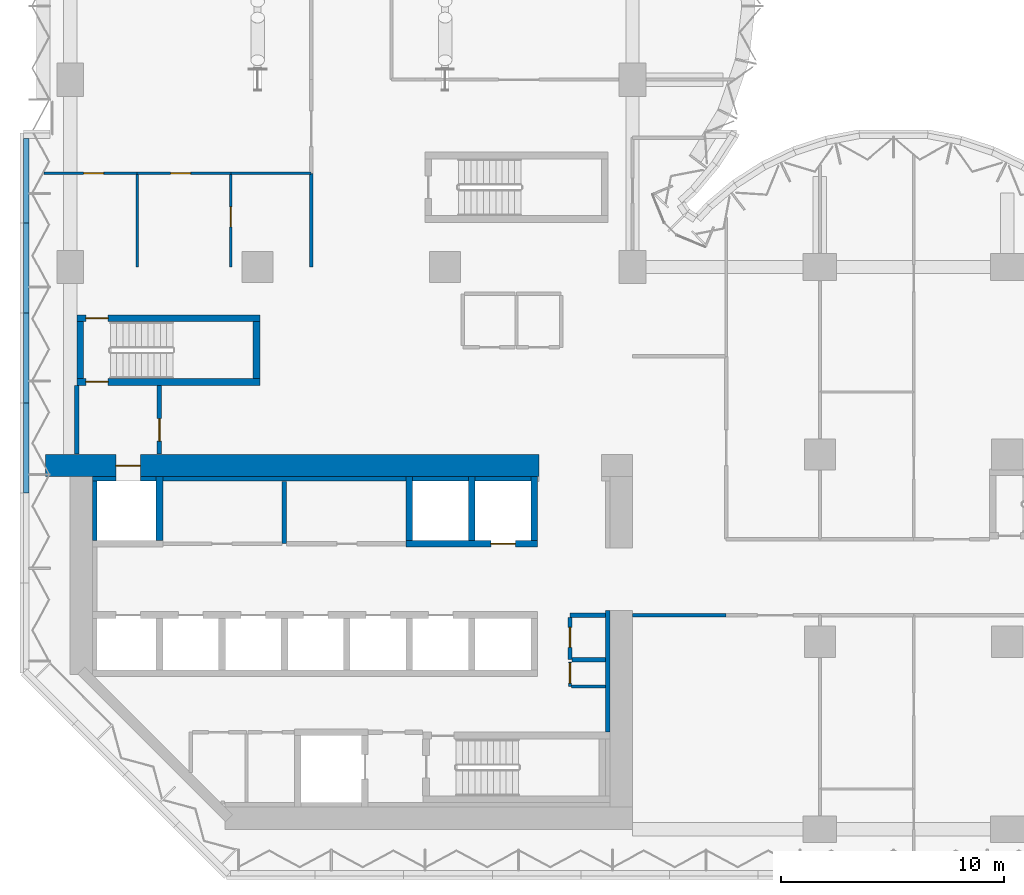
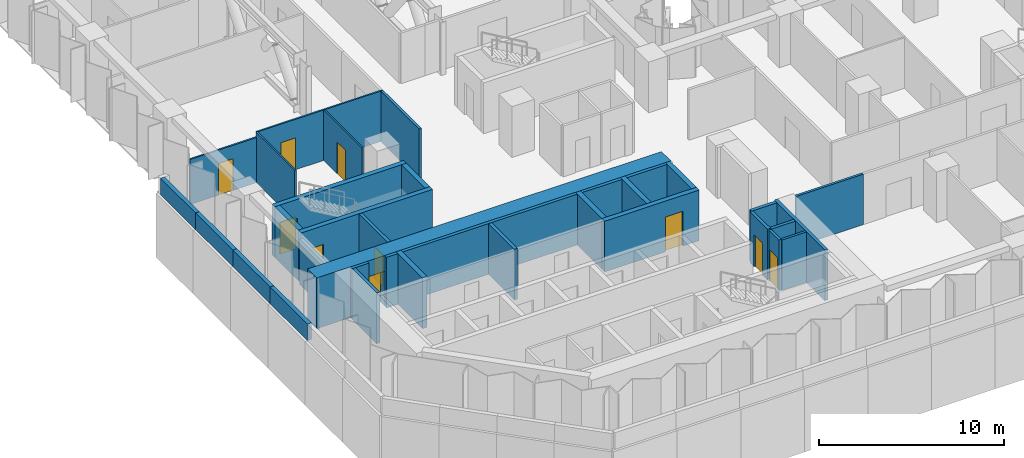
# One storey, part 10 of 24: 36 walls, 10 doors, 10 openings.
"""IFC4 building model written with IfcOpenShell, lengths in metres."""

from ifc_helpers import new_model, si_unit, direction, frame, frame_2d, origin, place, context, subcontext, project, spatial, rectangle, extrude, material, layer, layer_set, type_object, element, fill, save


model = new_model("IFC4")

# Units and contexts
model_context = context("Model", 3, precision=1e-05, world=origin(), true_north=direction((0.0, 1.0)))
body_context = subcontext(model_context, "Body", "Model", "MODEL_VIEW")
ifc_project = project(units=[si_unit("LENGTHUNIT", "METRE"), si_unit("AREAUNIT", "SQUARE_METRE"), si_unit("VOLUMEUNIT", "CUBIC_METRE"), si_unit("PLANEANGLEUNIT", "RADIAN"), si_unit("MASSUNIT", "GRAM", prefix="KILO")], contexts=[model_context])

# Site, building, storey
site_placement = place(None, origin())
site = spatial("IfcSite", under=ifc_project, at=site_placement, CompositionType="ELEMENT")
building_placement = place(site_placement, origin())
building = spatial("IfcBuilding", under=site, at=building_placement, Name="Brevane Broadcast Tower", CompositionType="ELEMENT")
storey_placement = place(building_placement, frame((0.0, 0.0, 36.5)))
storey = spatial("IfcBuildingStorey", under=building, at=storey_placement, Name="L06", CompositionType="ELEMENT", Elevation=36.5)

# Walls
ifc_material_1 = material(Name="Concrete C50/60", Category="concrete")
ifc_layer_1 = layer(ifc_material_1, 0.25)
ifc_layer_set_1 = layer_set([ifc_layer_1], Name="CORNICE PARAPET 1100")
wall_type_1 = type_object("IfcWallType", Name="CORNICE PARAPET 1100", PredefinedType="PARAPET", material=ifc_layer_set_1)
wall_1_placement = place(storey_placement, frame((-1.97509765625, 15.068603515625, 0.0), z_axis=(0.0, 0.0, 1.0), x_axis=(0.0, 1.0, 0.0)))
element("IfcWall", 1, at=wall_1_placement, inside=storey, type_object=wall_type_1, Name="Cornice parapet", PredefinedType="PARAPET", context=body_context, shape_type="SweptSolid", body=[
    extrude(rectangle(XDim=4.032958984375, YDim=0.25, at=frame_2d((2.0166015625, 0.0))), origin(), (0.0, 0.0, 1.0), 1.10009765625),
])
wall_2_placement = place(storey_placement, frame((-1.97509765625, 19.1015625, 0.0), z_axis=(0.0, 0.0, 1.0), x_axis=(0.0, 1.0, 0.0)))
element("IfcWall", 2, at=wall_2_placement, inside=storey, type_object=wall_type_1, Name="Cornice parapet", PredefinedType="PARAPET", context=body_context, shape_type="SweptSolid", body=[
    extrude(rectangle(XDim=4.03271484375, YDim=0.25, at=frame_2d((2.016357421875, 0.0))), origin(), (0.0, 0.0, 1.0), 1.10009765625),
])
wall_3_placement = place(storey_placement, frame((-1.97509765625, 23.13427734375, 0.0), z_axis=(0.0, 0.0, 1.0), x_axis=(0.0, 1.0, 0.0)))
element("IfcWall", 3, at=wall_3_placement, inside=storey, type_object=wall_type_1, Name="Cornice parapet", PredefinedType="PARAPET", context=body_context, shape_type="SweptSolid", body=[
    extrude(rectangle(XDim=4.032958984375, YDim=0.25, at=frame_2d((2.0166015625, 0.0))), origin(), (0.0, 0.0, 1.0), 1.10009765625),
])
wall_4_placement = place(storey_placement, frame((-1.97509765625, 27.167236328125, 0.0), z_axis=(0.0, 0.0, 1.0), x_axis=(0.0, 1.0, 0.0)))
element("IfcWall", 4, at=wall_4_placement, inside=storey, type_object=wall_type_1, Name="Cornice parapet", PredefinedType="PARAPET", context=body_context, shape_type="SweptSolid", body=[
    extrude(rectangle(XDim=3.78271484375, YDim=0.25, at=frame_2d((1.891357421875, 0.0))), origin(), (0.0, 0.0, 1.0), 1.10009765625),
])
ifc_material_2 = material(Name="Concrete C32/40", Category="concrete")
ifc_layer_2 = layer(ifc_material_2, 0.199951171875)
ifc_layer_set_2 = layer_set([ifc_layer_2], Name="Core chase wall 200 mm")
wall_type_2 = type_object("IfcWallType", Name="Core chase wall 200 mm", PredefinedType="PARTITIONING", material=ifc_layer_set_2)
wall_5_placement = place(storey_placement, frame((1.0, 15.699951171875, 0.0), z_axis=(0.0, 0.0, 1.0), x_axis=(1.0, 0.0, 0.0)))
element("IfcWall", 5, at=wall_5_placement, inside=storey, type_object=wall_type_2, Name="L06 chase wall LN0", PredefinedType="PARTITIONING", context=body_context, shape_type="SweptSolid", body=[
    extrude(rectangle(XDim=1.050048828125, YDim=0.199951171875, at=frame_2d((0.52490234375, 0.0))), origin(), (0.0, 0.0, 1.0), 3.35009765625),
])
wall_6_placement = place(storey_placement, frame((1.10009765625, 12.949951171875, 0.0), z_axis=(0.0, 0.0, 1.0), x_axis=(0.0, 1.0, 0.0)))
element("IfcWall", 6, at=wall_6_placement, inside=storey, type_object=wall_type_2, Name="L06 chase wall LW-2-2-2", PredefinedType="PARTITIONING", context=body_context, shape_type="SweptSolid", body=[
    extrude(rectangle(XDim=2.650146484375, YDim=0.199951171875, at=frame_2d((1.3251953125, 0.0))), origin(), (0.0, 0.0, 1.0), 3.35009765625),
])
wall_7_placement = place(storey_placement, frame((3.14990234375, 15.699951171875, 0.0), z_axis=(0.0, 0.0, 1.0), x_axis=(1.0, 0.0, 0.0)))
element("IfcWall", 7, at=wall_7_placement, inside=storey, type_object=wall_type_2, Name="L06 chase wall LN1-1", PredefinedType="PARTITIONING", context=body_context, shape_type="SweptSolid", body=[
    extrude(rectangle(XDim=0.7001953125, YDim=0.199951171875, at=frame_2d((0.35009765625, 0.0))), origin(), (0.0, 0.0, 1.0), 3.35009765625),
])
wall_8_placement = place(storey_placement, frame((4.14990234375, 15.699951171875, 0.0), z_axis=(0.0, 0.0, 1.0), x_axis=(1.0, 0.0, 0.0)))
element("IfcWall", 8, at=wall_8_placement, inside=storey, type_object=wall_type_2, Name="L06 chase wall LN1-2-1", PredefinedType="PARTITIONING", context=body_context, shape_type="SweptSolid", body=[
    extrude(rectangle(XDim=10.900146484375, YDim=0.199951171875, at=frame_2d((5.4501953125, 0.0))), origin(), (0.0, 0.0, 1.0), 3.35009765625),
])
for number, where, z_axis, x_axis, name in (
    (9, (15.35009765625, 15.699951171875, 0.0), (0.0, 0.0, 1.0), (1.0, 0.0, 0.0), "L06 chase wall LN1-2-2-1"),
    (10, (18.14990234375, 15.699951171875, 0.0), (0.0, 0.0, 1.0), (1.0, 0.0, 0.0), "L06 chase wall LN1-2-2-2-1"),
):
    element("IfcWall", number, at=place(storey_placement, frame(where, z_axis=z_axis, x_axis=x_axis)), inside=storey, type_object=wall_type_2, Name=name, PredefinedType="PARTITIONING", context=body_context, shape_type="SweptSolid", body=[
        extrude(rectangle(XDim=2.5, YDim=0.199951171875, at=frame_2d((1.25, 0.0))), origin(), (0.0, 0.0, 1.0), 3.35009765625),
    ])
wall_9_placement = place(storey_placement, frame((24.10009765625, 4.35009765625, 0.0), z_axis=(0.0, 0.0, 1.0), x_axis=(0.0, 1.0, 0.0)))
element("IfcWall", 11, at=wall_9_placement, inside=storey, type_object=wall_type_2, Name="L06 chase wall LE1-2-2", PredefinedType="PARTITIONING", context=body_context, shape_type="SweptSolid", body=[
    extrude(rectangle(XDim=5.449951171875, YDim=0.199951171875, at=frame_2d((2.72509765625, 0.0))), origin(), (0.0, 0.0, 1.0), 3.35009765625),
])

# Wall, opening, door
ifc_material_3 = material(Name="Gypsum board on steel studs", Category="steel")
ifc_layer_3 = layer(ifc_material_3, 0.14990234375)
ifc_layer_set_3 = layer_set([ifc_layer_3], Name="Core fire partition 150 mm")
wall_type_3 = type_object("IfcWallType", Name="Core fire partition 150 mm", PredefinedType="PARTITIONING", material=ifc_layer_set_3)
wall_10_placement = place(storey_placement, frame((22.39990234375, 7.5, 0.0), z_axis=(0.0, 0.0, 1.0), x_axis=(0.0, -1.0, 0.0)))
wall_10 = element("IfcWall", 12, at=wall_10_placement, inside=storey, type_object=wall_type_3, Name="L06 partition wall P22", PredefinedType="PARTITIONING", context=body_context, shape_type="SweptSolid", body=[
    extrude(rectangle(XDim=1.10009765625, YDim=0.14990234375, at=frame_2d((0.550048828125, 0.0))), origin(), (0.0, 0.0, 1.0), 3.35009765625),
])
opening_1_placement = place(wall_10_placement, frame((0.050048828125, 0.0, 0.0)))
opening_1 = element("IfcOpeningElement", 13, at=opening_1_placement, cuts=wall_10, Name="Opening L06-K19", PredefinedType="OPENING", context=body_context, shape_type="SweptSolid", body=[
    extrude(rectangle(XDim=0.89990234375, YDim=2.10009765625, at=frame_2d((0.449951171875, 1.050048828125))), frame((0.0, 0.0849609375, 0.0), z_axis=(0.0, -1.0, 0.0), x_axis=(1.0, 0.0, 0.0)), (0.0, 0.0, 1.0), 0.169921875),
])
ifc_material_4 = material(Name="Steel", Category="steel")
door_type_1 = type_object("IfcDoorType", Name="Service room door 900 x 2100", OperationType="SINGLE_SWING_LEFT", PredefinedType="DOOR", material=ifc_material_4)
door_1_placement = place(opening_1_placement, origin())
door_1 = element("IfcDoor", 14, at=door_1_placement, inside=storey, type_object=door_type_1, Name="Door L06-K19", OperationType="SINGLE_SWING_LEFT", OverallHeight=2.10009765625, OverallWidth=0.89990234375, PredefinedType="DOOR", context=body_context, shape_type="SweptSolid", body=[
    extrude(rectangle(XDim=0.89990234375, YDim=2.10009765625, at=frame_2d((0.449951171875, 1.050048828125))), frame((0.0, 0.02490234375, 0.0), z_axis=(0.0, -1.0, 0.0), x_axis=(1.0, 0.0, 0.0)), (0.0, 0.0, 1.0), 0.050048828125),
])
fill(opening_1, door_1)

# Walls
wall_11_placement = place(storey_placement, frame((22.47509765625, 6.39990234375, 0.0), z_axis=(0.0, 0.0, 1.0), x_axis=(1.0, 0.0, 0.0)))
element("IfcWall", 15, at=wall_11_placement, inside=storey, type_object=wall_type_3, Name="L06 partition wall P23", PredefinedType="PARTITIONING", context=body_context, shape_type="SweptSolid", body=[
    extrude(rectangle(XDim=1.512939453125, YDim=0.14990234375, at=frame_2d((0.75634765625, 0.0))), origin(), (0.0, 0.0, 1.0), 3.35009765625),
])
ifc_layer_4 = layer(ifc_material_3, 0.199951171875)
ifc_layer_set_4 = layer_set([ifc_layer_4], Name="Core fire partition 200 mm")
wall_type_4 = type_object("IfcWallType", Name="Core fire partition 200 mm", PredefinedType="PARTITIONING", material=ifc_layer_set_4)
wall_12_placement = place(storey_placement, frame((0.300048828125, 16.81201171875, 0.0), z_axis=(0.0, 0.0, 1.0), x_axis=(0.0, 1.0, 0.0)))
element("IfcWall", 16, at=wall_12_placement, inside=storey, type_object=wall_type_4, Name="L06 partition wall P01", PredefinedType="PARTITIONING", context=body_context, shape_type="SweptSolid", body=[
    extrude(rectangle(XDim=3.075927734375, YDim=0.199951171875, at=frame_2d((1.5380859375, 0.0))), origin(), (0.0, 0.0, 1.0), 2.97998046875),
])

# Wall, opening, door
wall_13_placement = place(storey_placement, frame((4.0, 19.887939453125, 0.0), z_axis=(0.0, 0.0, 1.0), x_axis=(0.0, -1.0, 0.0)))
wall_13 = element("IfcWall", 17, at=wall_13_placement, inside=storey, type_object=wall_type_4, Name="L06 partition wall P02", PredefinedType="PARTITIONING", context=body_context, shape_type="SweptSolid", body=[
    extrude(rectangle(XDim=3.075927734375, YDim=0.199951171875, at=frame_2d((1.5380859375, 0.0))), origin(), (0.0, 0.0, 1.0), 3.35009765625),
])
opening_2_placement = place(wall_13_placement, frame((1.488037109375, 0.0, 0.0)))
opening_2 = element("IfcOpeningElement", 18, at=opening_2_placement, cuts=wall_13, Name="Opening L06-K23", PredefinedType="OPENING", context=body_context, shape_type="SweptSolid", body=[
    extrude(rectangle(XDim=1.0, YDim=2.10009765625, at=frame_2d((0.5, 1.050048828125))), frame((0.0, 0.10986328125, 0.0), z_axis=(0.0, -1.0, 0.0), x_axis=(1.0, 0.0, 0.0)), (0.0, 0.0, 1.0), 0.219970703125),
])
door_type_2 = type_object("IfcDoorType", Name="Stair door 1000 x 2100", OperationType="SINGLE_SWING_LEFT", PredefinedType="DOOR", material=ifc_material_4)
door_2_placement = place(opening_2_placement, origin())
door_2 = element("IfcDoor", 19, at=door_2_placement, inside=storey, type_object=door_type_2, Name="Door L06-K23", OperationType="SINGLE_SWING_LEFT", OverallHeight=2.10009765625, OverallWidth=1.0, PredefinedType="DOOR", context=body_context, shape_type="SweptSolid", body=[
    extrude(rectangle(XDim=1.0, YDim=2.10009765625, at=frame_2d((0.5, 1.050048828125))), frame((0.0, 0.02490234375, 0.0), z_axis=(0.0, -1.0, 0.0), x_axis=(1.0, 0.0, 0.0)), (0.0, 0.0, 1.0), 0.050048828125),
])
fill(opening_2, door_2)

# Walls
wall_14_placement = place(storey_placement, frame((9.60009765625, 15.587890625, 0.0), z_axis=(0.0, 0.0, 1.0), x_axis=(0.0, -1.0, 0.0)))
element("IfcWall", 20, at=wall_14_placement, inside=storey, type_object=wall_type_4, Name="L06 partition wall P04", PredefinedType="PARTITIONING", context=body_context, shape_type="SweptSolid", body=[
    extrude(rectangle(XDim=2.787841796875, YDim=0.199951171875, at=frame_2d((1.39404296875, 0.0))), origin(), (0.0, 0.0, 1.0), 3.35009765625),
])
wall_15_placement = place(storey_placement, frame((23.988037109375, 9.60009765625, 0.0), z_axis=(0.0, 0.0, 1.0), x_axis=(-1.0, 0.0, 0.0)))
element("IfcWall", 21, at=wall_15_placement, inside=storey, type_object=wall_type_4, Name="L06 partition wall P06", PredefinedType="PARTITIONING", context=body_context, shape_type="SweptSolid", body=[
    extrude(rectangle(XDim=1.588134765625, YDim=0.199951171875, at=frame_2d((0.7939453125, 0.0))), origin(), (0.0, 0.0, 1.0), 3.35009765625),
])

# Wall, opening, door
wall_16_placement = place(storey_placement, frame((22.39990234375, 9.5, 0.0), z_axis=(0.0, 0.0, 1.0), x_axis=(0.0, -1.0, 0.0)))
wall_16 = element("IfcWall", 22, at=wall_16_placement, inside=storey, type_object=wall_type_4, Name="L06 partition wall P07", PredefinedType="PARTITIONING", context=body_context, shape_type="SweptSolid", body=[
    extrude(rectangle(XDim=1.89990234375, YDim=0.199951171875, at=frame_2d((0.949951171875, 0.0))), origin(), (0.0, 0.0, 1.0), 3.35009765625),
])
opening_3_placement = place(wall_16_placement, frame((0.449951171875, 0.0, 0.0)))
opening_3 = element("IfcOpeningElement", 23, at=opening_3_placement, cuts=wall_16, Name="Opening L06-K20", PredefinedType="OPENING", context=body_context, shape_type="SweptSolid", body=[
    extrude(rectangle(XDim=0.89990234375, YDim=2.10009765625, at=frame_2d((0.449951171875, 1.050048828125))), frame((0.0, 0.10986328125, 0.0), z_axis=(0.0, -1.0, 0.0), x_axis=(1.0, 0.0, 0.0)), (0.0, 0.0, 1.0), 0.219970703125),
])
door_3_placement = place(opening_3_placement, origin())
door_3 = element("IfcDoor", 24, at=door_3_placement, inside=storey, type_object=door_type_1, Name="Door L06-K20", OperationType="SINGLE_SWING_RIGHT", OverallHeight=2.10009765625, OverallWidth=0.89990234375, PredefinedType="DOOR", context=body_context, shape_type="SweptSolid", body=[
    extrude(rectangle(XDim=0.89990234375, YDim=2.10009765625, at=frame_2d((0.449951171875, 1.050048828125))), frame((0.0, 0.02490234375, 0.0), z_axis=(0.0, -1.0, 0.0), x_axis=(1.0, 0.0, 0.0)), (0.0, 0.0, 1.0), 0.050048828125),
])
fill(opening_3, door_3)

# Wall
wall_17_placement = place(storey_placement, frame((22.5, 7.60009765625, 0.0), z_axis=(0.0, 0.0, 1.0), x_axis=(1.0, 0.0, 0.0)))
element("IfcWall", 25, at=wall_17_placement, inside=storey, type_object=wall_type_4, Name="L06 partition wall P08", PredefinedType="PARTITIONING", context=body_context, shape_type="SweptSolid", body=[
    extrude(rectangle(XDim=1.488037109375, YDim=0.199951171875, at=frame_2d((0.744140625, 0.0))), origin(), (0.0, 0.0, 1.0), 3.35009765625),
])

# Wall, opening, door
ifc_material_5 = material(Name="Concrete C80/95", Category="concrete")
ifc_layer_5 = layer(ifc_material_5, 1.0)
ifc_layer_set_5 = layer_set([ifc_layer_5], Name="Core wall 1000 mm C80/95")
wall_type_5 = type_object("IfcWallType", Name="Core wall 1000 mm C80/95", PredefinedType="SHEAR", material=ifc_layer_set_5)
wall_18_placement = place(storey_placement, frame((-1.10009765625, 16.300048828125, 0.0), z_axis=(0.0, 0.0, 1.0), x_axis=(1.0, 0.0, 0.0)))
wall_18 = element("IfcWall", 26, at=wall_18_placement, inside=storey, type_object=wall_type_5, Name="L06 outer wall WN1", PredefinedType="SHEAR", context=body_context, shape_type="SweptSolid", body=[
    extrude(rectangle(XDim=22.10009765625, YDim=1.0, at=frame_2d((11.050048828125, 0.0))), origin(), (0.0, 0.0, 1.0), 3.35009765625),
])
opening_4_placement = place(wall_18_placement, frame((3.14990234375, 0.0, 0.0)))
opening_4 = element("IfcOpeningElement", 27, at=opening_4_placement, cuts=wall_18, Name="Opening LD", PredefinedType="OPENING", context=body_context, shape_type="SweptSolid", body=[
    extrude(rectangle(XDim=1.10009765625, YDim=2.300048828125, at=frame_2d((0.550048828125, 1.14990234375))), frame((0.0, 0.510009765625, 0.0), z_axis=(0.0, -1.0, 0.0), x_axis=(1.0, 0.0, 0.0)), (0.0, 0.0, 1.0), 1.02001953125),
])
ifc_material_6 = material(Name="Stainless steel", Category="steel")
door_type_3 = type_object("IfcDoorType", Name="Lift landing door", OperationType="SLIDING_TO_LEFT", PredefinedType="DOOR", material=ifc_material_6)
door_4_placement = place(opening_4_placement, origin())
door_4 = element("IfcDoor", 28, at=door_4_placement, inside=storey, type_object=door_type_3, Name="Landing door FF1 L06", OperationType="SLIDING_TO_LEFT", OverallHeight=2.300048828125, OverallWidth=1.10009765625, PredefinedType="DOOR", context=body_context, shape_type="SweptSolid", body=[
    extrude(rectangle(XDim=1.10009765625, YDim=2.300048828125, at=frame_2d((0.550048828125, 1.14990234375))), frame((0.0, 0.02490234375, 0.0), z_axis=(0.0, -1.0, 0.0), x_axis=(1.0, 0.0, 0.0)), (0.0, 0.0, 1.0), 0.050048828125),
])
fill(opening_4, door_4)

# Wall
ifc_layer_6 = layer(ifc_material_5, 0.300048828125)
ifc_layer_set_6 = layer_set([ifc_layer_6], Name="Core wall 300 mm C80/95")
wall_type_6 = type_object("IfcWallType", Name="Core wall 300 mm C80/95", PredefinedType="SHEAR", material=ifc_layer_set_6)
wall_19_placement = place(storey_placement, frame((4.0, 12.949951171875, 0.0), z_axis=(0.0, 0.0, 1.0), x_axis=(0.0, 1.0, 0.0)))
element("IfcWall", 29, at=wall_19_placement, inside=storey, type_object=wall_type_6, Name="L06 shaft wall SH-N-P040", PredefinedType="SHEAR", context=body_context, shape_type="SweptSolid", body=[
    extrude(rectangle(XDim=2.85009765625, YDim=0.300048828125, at=frame_2d((1.425048828125, 0.0))), origin(), (0.0, 0.0, 1.0), 3.35009765625),
])

# Wall, opening, door
wall_20_placement = place(storey_placement, frame((15.050048828125, 12.800048828125, 0.0), z_axis=(0.0, 0.0, 1.0), x_axis=(1.0, 0.0, 0.0)))
wall_20 = element("IfcWall", 30, at=wall_20_placement, inside=storey, type_object=wall_type_6, Name="L06 shaft wall SH-N152-front", PredefinedType="SHEAR", context=body_context, shape_type="SweptSolid", body=[
    extrude(rectangle(XDim=5.89990234375, YDim=0.300048828125, at=frame_2d((2.949951171875, 0.0))), origin(), (0.0, 0.0, 1.0), 3.35009765625),
])
opening_5_placement = place(wall_20_placement, frame((3.800048828125, 0.0, 0.0)))
opening_5 = element("IfcOpeningElement", 31, at=opening_5_placement, cuts=wall_20, Name="Opening LD", PredefinedType="OPENING", context=body_context, shape_type="SweptSolid", body=[
    extrude(rectangle(XDim=1.10009765625, YDim=2.300048828125, at=frame_2d((0.550048828125, 1.14990234375))), frame((0.0, 0.159912109375, 0.0), z_axis=(0.0, -1.0, 0.0), x_axis=(1.0, 0.0, 0.0)), (0.0, 0.0, 1.0), 0.320068359375),
])
door_5_placement = place(opening_5_placement, origin())
door_5 = element("IfcDoor", 32, at=door_5_placement, inside=storey, type_object=door_type_3, Name="Landing door SL1 L06", OperationType="SLIDING_TO_LEFT", OverallHeight=2.300048828125, OverallWidth=1.10009765625, PredefinedType="DOOR", context=body_context, shape_type="SweptSolid", body=[
    extrude(rectangle(XDim=1.10009765625, YDim=2.300048828125, at=frame_2d((0.550048828125, 1.14990234375))), frame((0.0, 0.02490234375, 0.0), z_axis=(0.0, -1.0, 0.0), x_axis=(1.0, 0.0, 0.0)), (0.0, 0.0, 1.0), 0.050048828125),
])
fill(opening_5, door_5)

# Walls
for number, where, z_axis, x_axis, name in (
    (33, (15.199951171875, 12.949951171875, 0.0), (0.0, 0.0, 1.0), (0.0, 1.0, 0.0), "L06 shaft wall SH-N-P152"),
    (34, (18.0, 12.949951171875, 0.0), (0.0, 0.0, 1.0), (0.0, 1.0, 0.0), "L06 shaft wall SH-N-P180"),
    (35, (20.800048828125, 12.949951171875, 0.0), (0.0, 0.0, 1.0), (0.0, 1.0, 0.0), "L06 shaft wall SH-N-P208"),
):
    element("IfcWall", number, at=place(storey_placement, frame(where, z_axis=z_axis, x_axis=x_axis)), inside=storey, type_object=wall_type_6, Name=name, PredefinedType="SHEAR", context=body_context, shape_type="SweptSolid", body=[
        extrude(rectangle(XDim=2.85009765625, YDim=0.300048828125, at=frame_2d((1.425048828125, 0.0))), origin(), (0.0, 0.0, 1.0), 3.35009765625),
    ])

# Wall, opening, door
wall_21_placement = place(storey_placement, frame((8.5, 20.050048828125, 0.0), z_axis=(0.0, 0.0, 1.0), x_axis=(-1.0, 0.0, 0.0)))
wall_21 = element("IfcWall", 36, at=wall_21_placement, inside=storey, type_object=wall_type_6, Name="L06 stair wall ST-1-S", PredefinedType="SHEAR", context=body_context, shape_type="SweptSolid", body=[
    extrude(rectangle(XDim=8.199951171875, YDim=0.300048828125, at=frame_2d((4.10009765625, 0.0))), origin(), (0.0, 0.0, 1.0), 3.35009765625),
])
opening_6_placement = place(wall_21_placement, frame((6.800048828125, 0.0, 0.0)))
opening_6 = element("IfcOpeningElement", 37, at=opening_6_placement, cuts=wall_21, Name="Opening L06-K10", PredefinedType="OPENING", context=body_context, shape_type="SweptSolid", body=[
    extrude(rectangle(XDim=1.0, YDim=2.10009765625, at=frame_2d((0.5, 1.050048828125))), frame((0.0, 0.159912109375, 0.0), z_axis=(0.0, -1.0, 0.0), x_axis=(1.0, 0.0, 0.0)), (0.0, 0.0, 1.0), 0.320068359375),
])
door_6_placement = place(opening_6_placement, origin())
door_6 = element("IfcDoor", 38, at=door_6_placement, inside=storey, type_object=door_type_2, Name="Door L06-K10", OperationType="SINGLE_SWING_RIGHT", OverallHeight=2.10009765625, OverallWidth=1.0, PredefinedType="DOOR", context=body_context, shape_type="SweptSolid", body=[
    extrude(rectangle(XDim=1.0, YDim=2.10009765625, at=frame_2d((0.5, 1.050048828125))), frame((0.0, 0.02490234375, 0.0), z_axis=(0.0, -1.0, 0.0), x_axis=(1.0, 0.0, 0.0)), (0.0, 0.0, 1.0), 0.050048828125),
])
fill(opening_6, door_6)

wall_22_placement = place(storey_placement, frame((0.300048828125, 22.89990234375, 0.0), z_axis=(0.0, 0.0, 1.0), x_axis=(1.0, 0.0, 0.0)))
wall_22 = element("IfcWall", 39, at=wall_22_placement, inside=storey, type_object=wall_type_6, Name="L06 stair wall ST-1-N", PredefinedType="SHEAR", context=body_context, shape_type="SweptSolid", body=[
    extrude(rectangle(XDim=8.199951171875, YDim=0.300048828125, at=frame_2d((4.10009765625, 0.0))), origin(), (0.0, 0.0, 1.0), 3.35009765625),
])
opening_7_placement = place(wall_22_placement, frame((0.39990234375, 0.0, 0.0)))
opening_7 = element("IfcOpeningElement", 40, at=opening_7_placement, cuts=wall_22, Name="Opening L06-K11", PredefinedType="OPENING", context=body_context, shape_type="SweptSolid", body=[
    extrude(rectangle(XDim=1.0, YDim=2.10009765625, at=frame_2d((0.5, 1.050048828125))), frame((0.0, 0.159912109375, 0.0), z_axis=(0.0, -1.0, 0.0), x_axis=(1.0, 0.0, 0.0)), (0.0, 0.0, 1.0), 0.320068359375),
])
door_7_placement = place(opening_7_placement, origin())
door_7 = element("IfcDoor", 41, at=door_7_placement, inside=storey, type_object=door_type_2, Name="Door L06-K11", OperationType="SINGLE_SWING_LEFT", OverallHeight=2.10009765625, OverallWidth=1.0, PredefinedType="DOOR", context=body_context, shape_type="SweptSolid", body=[
    extrude(rectangle(XDim=1.0, YDim=2.10009765625, at=frame_2d((0.5, 1.050048828125))), frame((0.0, 0.02490234375, 0.0), z_axis=(0.0, -1.0, 0.0), x_axis=(1.0, 0.0, 0.0)), (0.0, 0.0, 1.0), 0.050048828125),
])
fill(opening_7, door_7)

# Walls
for number, where, z_axis, x_axis, name in (
    (42, (0.449951171875, 20.199951171875, 0.0), (0.0, 0.0, 1.0), (0.0, 1.0, 0.0), "L06 stair wall ST-1-W"),
    (43, (8.35009765625, 20.199951171875, 0.0), (0.0, 0.0, 1.0), (0.0, 1.0, 0.0), "L06 stair wall ST-1-E"),
):
    element("IfcWall", number, at=place(storey_placement, frame(where, z_axis=z_axis, x_axis=x_axis)), inside=storey, type_object=wall_type_6, Name=name, PredefinedType="SHEAR", context=body_context, shape_type="SweptSolid", body=[
        extrude(rectangle(XDim=2.550048828125, YDim=0.300048828125, at=frame_2d((1.27490234375, 0.0))), origin(), (0.0, 0.0, 1.0), 3.35009765625),
    ])

# Wall, opening, door
ifc_material_7 = material(Name="Gypsum board partition")
ifc_layer_7 = layer(ifc_material_7, 0.10009765625)
ifc_layer_set_7 = layer_set([ifc_layer_7], Name="PARTITION 100 STUD")
wall_type_7 = type_object("IfcWallType", Name="PARTITION 100 STUD", PredefinedType="PARTITIONING", material=ifc_layer_set_7)
wall_23_placement = place(storey_placement, frame((3.0, 29.39990234375, 0.0), z_axis=(0.0, 0.0, 1.0), x_axis=(-1.0, 0.0, 0.0)))
wall_23 = element("IfcWall", 44, at=wall_23_placement, inside=storey, type_object=wall_type_7, Name="Partition G01-072", PredefinedType="PARTITIONING", context=body_context, shape_type="SweptSolid", body=[
    extrude(rectangle(XDim=4.174072265625, YDim=0.10009765625, at=frame_2d((2.0869140625, 0.0))), origin(), (0.0, 0.0, 1.0), 2.97998046875),
])
opening_8_placement = place(wall_23_placement, frame((1.5, 0.0, 0.0)))
opening_8 = element("IfcOpeningElement", 45, at=opening_8_placement, cuts=wall_23, Name="Opening D07-022", PredefinedType="OPENING", context=body_context, shape_type="SweptSolid", body=[
    extrude(rectangle(XDim=0.89990234375, YDim=2.10009765625, at=frame_2d((0.449951171875, 1.050048828125))), frame((0.0, 0.06005859375, 0.0), z_axis=(0.0, -1.0, 0.0), x_axis=(1.0, 0.0, 0.0)), (0.0, 0.0, 1.0), 0.1201171875),
])
ifc_material_8 = material(Name="Timber door leaf", Category="wood")
door_type_4 = type_object("IfcDoorType", Name="DOOR SINGLE 900 INTERNAL", OperationType="SINGLE_SWING_LEFT", PredefinedType="DOOR", material=ifc_material_8)
door_8_placement = place(opening_8_placement, origin())
door_8 = element("IfcDoor", 46, at=door_8_placement, inside=storey, type_object=door_type_4, Name="Door D07-022", OperationType="SINGLE_SWING_LEFT", OverallHeight=2.10009765625, OverallWidth=0.89990234375, PredefinedType="DOOR", context=body_context, shape_type="SweptSolid", body=[
    extrude(rectangle(XDim=0.89990234375, YDim=2.10009765625, at=frame_2d((0.449951171875, 1.050048828125))), frame((0.0, 0.02490234375, 0.0), z_axis=(0.0, -1.0, 0.0), x_axis=(1.0, 0.0, 0.0)), (0.0, 0.0, 1.0), 0.050048828125),
])
fill(opening_8, door_8)

wall_24_placement = place(storey_placement, frame((7.199951171875, 29.39990234375, 0.0), z_axis=(0.0, 0.0, 1.0), x_axis=(-1.0, 0.0, 0.0)))
wall_24 = element("IfcWall", 47, at=wall_24_placement, inside=storey, type_object=wall_type_7, Name="Partition G01-073", PredefinedType="PARTITIONING", context=body_context, shape_type="SweptSolid", body=[
    extrude(rectangle(XDim=4.199951171875, YDim=0.10009765625, at=frame_2d((2.10009765625, 0.0))), origin(), (0.0, 0.0, 1.0), 3.330078125),
])
opening_9_placement = place(wall_24_placement, frame((1.800048828125, 0.0, 0.0)))
opening_9 = element("IfcOpeningElement", 48, at=opening_9_placement, cuts=wall_24, Name="Opening D07-023", PredefinedType="OPENING", context=body_context, shape_type="SweptSolid", body=[
    extrude(rectangle(XDim=0.89990234375, YDim=2.10009765625, at=frame_2d((0.449951171875, 1.050048828125))), frame((0.0, 0.06005859375, 0.0), z_axis=(0.0, -1.0, 0.0), x_axis=(1.0, 0.0, 0.0)), (0.0, 0.0, 1.0), 0.1201171875),
])
door_9_placement = place(opening_9_placement, origin())
door_9 = element("IfcDoor", 49, at=door_9_placement, inside=storey, type_object=door_type_4, Name="Door D07-023", OperationType="SINGLE_SWING_LEFT", OverallHeight=2.10009765625, OverallWidth=0.89990234375, PredefinedType="DOOR", context=body_context, shape_type="SweptSolid", body=[
    extrude(rectangle(XDim=0.89990234375, YDim=2.10009765625, at=frame_2d((0.449951171875, 1.050048828125))), frame((0.0, 0.02490234375, 0.0), z_axis=(0.0, -1.0, 0.0), x_axis=(1.0, 0.0, 0.0)), (0.0, 0.0, 1.0), 0.050048828125),
])
fill(opening_9, door_9)

# Walls
wall_25_placement = place(storey_placement, frame((10.800048828125, 29.39990234375, 0.0), z_axis=(0.0, 0.0, 1.0), x_axis=(-1.0, 0.0, 0.0)))
element("IfcWall", 50, at=wall_25_placement, inside=storey, type_object=wall_type_7, Name="Partition G01-074", PredefinedType="PARTITIONING", context=body_context, shape_type="SweptSolid", body=[
    extrude(rectangle(XDim=3.60009765625, YDim=0.10009765625, at=frame_2d((1.800048828125, 0.0))), origin(), (0.0, 0.0, 1.0), 3.330078125),
])
wall_26_placement = place(storey_placement, frame((3.0, 29.39990234375, 0.0), z_axis=(0.0, 0.0, 1.0), x_axis=(0.0, -1.0, 0.0)))
element("IfcWall", 51, at=wall_26_placement, inside=storey, type_object=wall_type_7, Name="Partition G01-076", PredefinedType="PARTITIONING", context=body_context, shape_type="SweptSolid", body=[
    extrude(rectangle(XDim=4.199951171875, YDim=0.10009765625, at=frame_2d((2.10009765625, 0.0))), origin(), (0.0, 0.0, 1.0), 3.330078125),
])

# Wall, opening, door
wall_27_placement = place(storey_placement, frame((7.199951171875, 29.39990234375, 0.0), z_axis=(0.0, 0.0, 1.0), x_axis=(0.0, -1.0, 0.0)))
wall_27 = element("IfcWall", 52, at=wall_27_placement, inside=storey, type_object=wall_type_7, Name="Partition G01-077", PredefinedType="PARTITIONING", context=body_context, shape_type="SweptSolid", body=[
    extrude(rectangle(XDim=4.199951171875, YDim=0.10009765625, at=frame_2d((2.10009765625, 0.0))), origin(), (0.0, 0.0, 1.0), 3.330078125),
])
opening_10_placement = place(wall_27_placement, frame((1.5, 0.0, 0.0)))
opening_10 = element("IfcOpeningElement", 53, at=opening_10_placement, cuts=wall_27, Name="Opening D07-024", PredefinedType="OPENING", context=body_context, shape_type="SweptSolid", body=[
    extrude(rectangle(XDim=0.89990234375, YDim=2.10009765625, at=frame_2d((0.449951171875, 1.050048828125))), frame((0.0, 0.06005859375, 0.0), z_axis=(0.0, -1.0, 0.0), x_axis=(1.0, 0.0, 0.0)), (0.0, 0.0, 1.0), 0.1201171875),
])
door_10_placement = place(opening_10_placement, origin())
door_10 = element("IfcDoor", 54, at=door_10_placement, inside=storey, type_object=door_type_4, Name="Door D07-024", OperationType="SINGLE_SWING_LEFT", OverallHeight=2.10009765625, OverallWidth=0.89990234375, PredefinedType="DOOR", context=body_context, shape_type="SweptSolid", body=[
    extrude(rectangle(XDim=0.89990234375, YDim=2.10009765625, at=frame_2d((0.449951171875, 1.050048828125))), frame((0.0, 0.02490234375, 0.0), z_axis=(0.0, -1.0, 0.0), x_axis=(1.0, 0.0, 0.0)), (0.0, 0.0, 1.0), 0.050048828125),
])
fill(opening_10, door_10)

# Walls
ifc_layer_8 = layer(ifc_material_7, 0.14990234375)
ifc_layer_set_8 = layer_set([ifc_layer_8], Name="PARTITION 150 EI 60")
wall_type_8 = type_object("IfcWallType", Name="PARTITION 150 EI 60", PredefinedType="PARTITIONING", material=ifc_layer_set_8)
for number, where, z_axis, x_axis, name in (
    (55, (29.39990234375, 9.60009765625, 0.0), (0.0, 0.0, 1.0), (-1.0, 0.0, 0.0), "Partition G01-002"),
    (56, (10.800048828125, 25.199951171875, 0.0), (0.0, 0.0, 1.0), (0.0, 1.0, 0.0), "Partition G01-054"),
):
    element("IfcWall", number, at=place(storey_placement, frame(where, z_axis=z_axis, x_axis=x_axis)), inside=storey, type_object=wall_type_8, Name=name, PredefinedType="PARTITIONING", context=body_context, shape_type="SweptSolid", body=[
        extrude(rectangle(XDim=4.199951171875, YDim=0.14990234375, at=frame_2d((2.10009765625, 0.0))), origin(), (0.0, 0.0, 1.0), 3.330078125),
    ])

save(model, "model.ifc")
